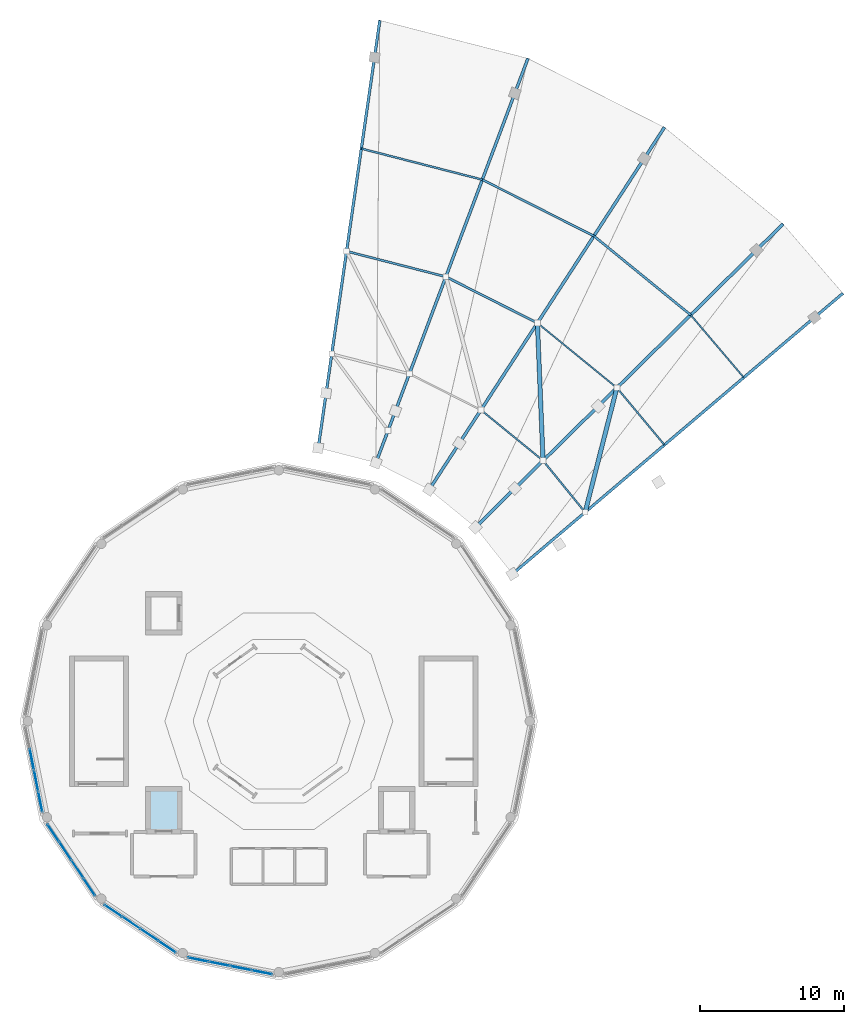
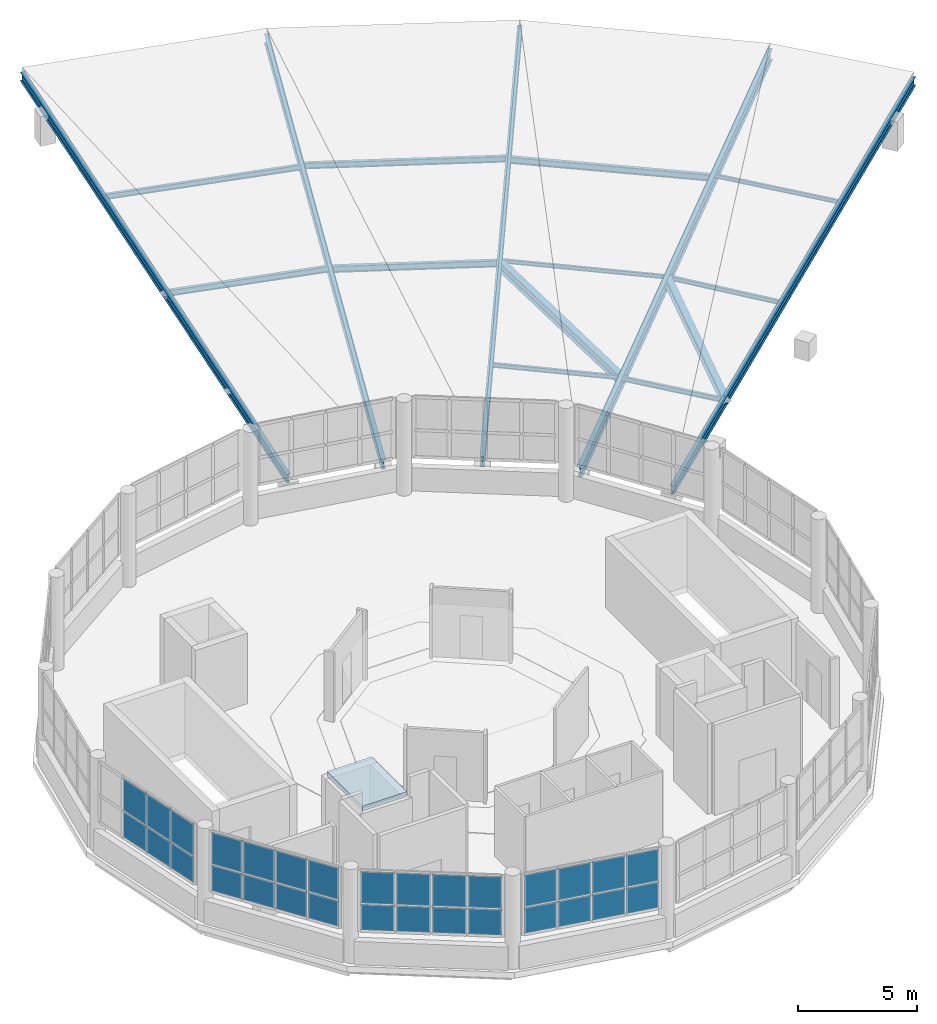
# One storey, part 7 of 12: 30 plates, 12 members, 5 beams, 1 slab, 4 elements without a shape of their own.
"""IFC4 building model written with IfcOpenShell, lengths in metres."""

import ifcopenshell
import ifcopenshell.guid

model = None  # the IFC model being written
_history = None  # IfcOwnerHistory: only IFC2X3 demands one
_inside = {}  # id of a spatial element -> (the spatial element, [elements in it])
_under = {}  # id of a project, library or spatial element -> (it, [spatial elements below it])
_declared = {}  # id of a project -> (the project, [libraries it declares])
_typed = {}  # id of a type object -> (the type object, [elements of that type])
_made_of = {}  # id of a material, layer set ... -> (it, [elements and type objects made of it])


def new_model(schema):
    """Start an empty IFC model of exactly this schema.

    Asked for "IFC4X3", IfcOpenShell would pick the latest addendum, in which some entities
    have other attributes; the version numbers below select the first issue.
    IFC2X3 requires an IfcOwnerHistory on every rooted entity: one is made here for all.
    """
    global model, _history
    if schema == "IFC4X3":
        model = ifcopenshell.file(schema_version=(4, 3, 0, 0))
    else:
        model = ifcopenshell.file(schema=schema)
    _inside.clear()
    _under.clear()
    _declared.clear()
    _typed.clear()
    _made_of.clear()
    _history = None
    if model.schema == "IFC2X3":
        org = make("IfcOrganization", Name="unknown")
        user = make(
            "IfcPersonAndOrganization",
            ThePerson=make("IfcPerson", FamilyName="unknown"),
            TheOrganization=org,
        )
        app = make(
            "IfcApplication",
            ApplicationDeveloper=org,
            Version="unknown",
            ApplicationFullName="unknown",
            ApplicationIdentifier="unknown",
        )
        _history = make(
            "IfcOwnerHistory",
            OwningUser=user,
            OwningApplication=app,
            ChangeAction="ADDED",
            CreationDate=0,
        )
    return model


def make(cls, **values):
    """One entity of the class cls with the attributes given. An attribute that is None is left unset."""
    return model.create_entity(
        cls, **{name: value for name, value in values.items() if value is not None}
    )


def rooted(cls, **values):
    """An entity with a GlobalId (a new one), such as an element, a storey or a relation."""
    return make(cls, GlobalId=ifcopenshell.guid.new(), OwnerHistory=_history, **values)


def si_unit(unit_type, name, prefix=None):
    """IfcSIUnit, for example si_unit("LENGTHUNIT", "METRE", prefix="MILLI")."""
    return make("IfcSIUnit", UnitType=unit_type, Prefix=prefix, Name=name)


def assignment(units):
    """IfcUnitAssignment: the units of a project."""
    return None if units is None else make("IfcUnitAssignment", Units=units)


def point(xyz):
    """IfcCartesianPoint."""
    return None if xyz is None else make("IfcCartesianPoint", Coordinates=xyz)


def direction(xyz):
    """IfcDirection."""
    return None if xyz is None else make("IfcDirection", DirectionRatios=xyz)


def frame(location, z_axis=None, x_axis=None):
    """IfcAxis2Placement3D, a coordinate frame: its origin and axes. An axis left out is left unset."""
    return make(
        "IfcAxis2Placement3D",
        Location=point(location),
        Axis=direction(z_axis),
        RefDirection=direction(x_axis),
    )


def frame_2d(location, x_axis=None):
    """IfcAxis2Placement2D, a coordinate frame in the plane: its origin and x axis."""
    return make(
        "IfcAxis2Placement2D", Location=point(location), RefDirection=direction(x_axis)
    )


def origin():
    """The frame at (0, 0, 0) with its axes left unset."""
    return frame((0.0, 0.0, 0.0))


def origin_2d():
    """The frame at (0, 0) in the plane with its x axis left unset."""
    return frame_2d((0.0, 0.0))


def place(relative_to, where):
    """IfcLocalPlacement: puts the frame where relative to a parent placement (None: the world)."""
    return make(
        "IfcLocalPlacement", PlacementRelTo=relative_to, RelativePlacement=where
    )


def context(
    kind, dimensions, precision=None, world=None, true_north=None, identifier=None
):
    """IfcGeometricRepresentationContext, for example the 3D "Model" context."""
    return make(
        "IfcGeometricRepresentationContext",
        ContextIdentifier=identifier,
        ContextType=kind,
        CoordinateSpaceDimension=dimensions,
        Precision=precision,
        WorldCoordinateSystem=world,
        TrueNorth=true_north,
    )


def subcontext(parent, identifier, kind, view, scale=None):
    """IfcGeometricRepresentationSubContext, for example "Body" below "Model"."""
    return make(
        "IfcGeometricRepresentationSubContext",
        ContextIdentifier=identifier,
        ContextType=kind,
        ParentContext=parent,
        TargetScale=scale,
        TargetView=view,
    )


def project(units=None, contexts=None):
    """IfcProject with its units and contexts."""
    return rooted(
        "IfcProject",
        Name="project",
        RepresentationContexts=contexts,
        UnitsInContext=assignment(units),
    )


def spatial(cls, under=None, at=None, **own):
    """A site, building, storey or space (cls), placed at a placement, below another one or the project."""
    s = rooted(cls, ObjectPlacement=at, **own)
    if under is not None:
        _under.setdefault(under.id(), (under, []))[1].append(s)
    return s


def polyline(points):
    """IfcPolyline through the points."""
    return make("IfcPolyline", Points=[point(p) for p in points])


def profile(cls, at=None, kind="AREA", **sizes):
    """A parametric profile (cls). Its sizes go by their IFC names, for example OverallWidth=200.0."""
    return make(cls, ProfileType=kind, Position=at, **sizes)


def rectangle(**sizes):
    """IfcRectangleProfileDef."""
    return profile("IfcRectangleProfileDef", **sizes)


def i_section(**sizes):
    """IfcIShapeProfileDef."""
    return profile("IfcIShapeProfileDef", **sizes)


def outline(outer, holes=None, kind="AREA"):
    """IfcArbitraryClosedProfileDef: a profile drawn as a closed curve; with holes, ...WithVoids."""
    if holes is None:
        return make("IfcArbitraryClosedProfileDef", ProfileType=kind, OuterCurve=outer)
    return make(
        "IfcArbitraryProfileDefWithVoids",
        ProfileType=kind,
        OuterCurve=outer,
        InnerCurves=holes,
    )


def extrude(swept, where, along, depth):
    """IfcExtrudedAreaSolid: the profile swept, set in the frame where, extruded along a direction by depth."""
    return make(
        "IfcExtrudedAreaSolid",
        SweptArea=swept,
        Position=where,
        ExtrudedDirection=direction(along),
        Depth=depth,
    )


def shape(context_of_items, identifier, shape_type, items):
    """IfcShapeRepresentation: the items that make up one representation, for example the "Body"."""
    return make(
        "IfcShapeRepresentation",
        ContextOfItems=context_of_items,
        RepresentationIdentifier=identifier,
        RepresentationType=shape_type,
        Items=items,
    )


def material(Name=None, Category=None):
    """IfcMaterial."""
    return make("IfcMaterial", Name=Name, Category=Category)


def layer(
    of_material, thickness, ventilated=None, Name=None, Category=None, Priority=None
):
    """IfcMaterialLayer: one layer of a wall or slab, of a material (None: an air gap)."""
    return make(
        "IfcMaterialLayer",
        Material=of_material,
        LayerThickness=thickness,
        IsVentilated=ventilated,
        Name=Name,
        Category=Category,
        Priority=Priority,
    )


def layer_set(layers, Name=None):
    """IfcMaterialLayerSet."""
    return make("IfcMaterialLayerSet", MaterialLayers=layers, LayerSetName=Name)


def material_profile(
    of_material, cross_section, Name=None, Category=None, Priority=None
):
    """IfcMaterialProfile: a cross section and its material."""
    return make(
        "IfcMaterialProfile",
        Name=Name,
        Material=of_material,
        Profile=cross_section,
        Priority=Priority,
        Category=Category,
    )


def profile_set(profiles, Name=None, composite=None):
    """IfcMaterialProfileSet."""
    return make(
        "IfcMaterialProfileSet",
        Name=Name,
        MaterialProfiles=profiles,
        CompositeProfile=composite,
    )


def made_of(thing, what):
    """Note that an element or type object is made of a material, layer set ...; save() writes the relation."""
    if what is not None:
        _made_of.setdefault(what.id(), (what, []))[1].append(thing)
    return thing


def type_object(cls, material=None, **own):
    """A type object (cls), such as IfcWallType, which elements share."""
    return made_of(rooted(cls, **own), material)


def element(
    cls,
    number,
    at=None,
    inside=None,
    cuts=None,
    type_object=None,
    material=None,
    context=None,
    identifier="Body",
    shape_type=None,
    held_by="IfcProductDefinitionShape",
    body=None,
    shapes=None,
    **own,
):
    """One element of the class cls, such as IfcWall. Its Tag is "e" and its number.

    at: its placement. inside: the storey or other place that contains it. cuts: it is an
    opening in that element (IfcRelVoidsElement). A single representation is given by context,
    identifier, shape_type and body (its items); several are given by shapes. held_by: the class
    of the entity that holds the representations. save() writes the other relations.
    """
    e = rooted(cls, Tag="e%d" % number, ObjectPlacement=at, **own)
    if body is not None:
        shapes = [shape(context, identifier, shape_type, body)]
    if shapes is not None:
        e.Representation = make(held_by, Representations=shapes)
    if inside is not None:
        _inside.setdefault(inside.id(), (inside, []))[1].append(e)
    if cuts is not None:
        rooted(
            "IfcRelVoidsElement", RelatingBuildingElement=cuts, RelatedOpeningElement=e
        )
    if type_object is not None:
        _typed.setdefault(type_object.id(), (type_object, []))[1].append(e)
    return made_of(e, material)


def aggregate(whole, parts):
    """IfcRelAggregates: a whole, such as a stair, and the parts it consists of."""
    return rooted("IfcRelAggregates", RelatingObject=whole, RelatedObjects=parts)


def save(model, path):
    """Write the relations noted so far, then the file.

    IfcRelAggregates (storeys below a building ...), IfcRelContainedInSpatialStructure (elements
    in a storey), IfcRelDefinesByType, IfcRelAssociatesMaterial and IfcRelDeclares: one each for
    every whole, place, type object, material and project.
    """
    for whole, parts in _under.values():
        aggregate(whole, parts)
    for where, things in _inside.values():
        rooted(
            "IfcRelContainedInSpatialStructure",
            RelatedElements=things,
            RelatingStructure=where,
        )
    for kind, things in _typed.values():
        rooted("IfcRelDefinesByType", RelatedObjects=things, RelatingType=kind)
    for what, things in _made_of.values():
        rooted("IfcRelAssociatesMaterial", RelatedObjects=things, RelatingMaterial=what)
    for by, libraries in _declared.values():
        rooted("IfcRelDeclares", RelatingContext=by, RelatedDefinitions=libraries)
    model.write(path)


model = new_model("IFC4")

# Units and contexts
model_context = context("Model", 3, precision=1e-05, world=origin(), true_north=direction((0.0, 1.0)))
body_context = subcontext(model_context, "Body", "Model", "MODEL_VIEW")
ifc_project = project(units=[si_unit("LENGTHUNIT", "METRE"), si_unit("AREAUNIT", "SQUARE_METRE"), si_unit("VOLUMEUNIT", "CUBIC_METRE"), si_unit("PLANEANGLEUNIT", "RADIAN"), si_unit("MASSUNIT", "GRAM", prefix="KILO")], contexts=[model_context])

# Site, building, storey
site_placement = place(None, origin())
site = spatial("IfcSite", under=ifc_project, at=site_placement, CompositionType="ELEMENT")
building_placement = place(site_placement, origin())
building = spatial("IfcBuilding", under=site, at=building_placement, Name="Soyqirgoq Riverine Aquarium", CompositionType="ELEMENT")
storey_placement = place(building_placement, frame((0.0, 0.0, 24.60009765625)))
storey = spatial("IfcBuildingStorey", under=building, at=storey_placement, Name="L06", CompositionType="ELEMENT", Elevation=24.60009765625)

# Members
ifc_material_1 = material(Name="Structural steel S355", Category="steel")
ifc_material_profile_1 = material_profile(ifc_material_1, i_section(OverallWidth=0.300048828125, OverallDepth=0.489990234375, WebThickness=0.011962890625, FlangeThickness=0.02294921875, FilletRadius=0.027099609375, at=origin_2d()), Name="HEA 500")
ifc_profile_set_1 = profile_set([ifc_material_profile_1], Name="Structural steel S355")
member_type_1 = type_object("IfcMemberType", Name="BridgeChord_HEA500", PredefinedType="CHORD", material=ifc_profile_set_1)
member_1_placement = place(storey_placement, frame((74.378173828125, 75.123291015625, 0.453369140625), z_axis=(-0.040963035979, 0.998779696282, 0.027588910426), x_axis=(-0.999160022983, -0.04097863435, 0.0)))
element("IfcMember", 1, at=member_1_placement, inside=storey, type_object=member_type_1, Name="V5 Lateral Wind Brace 0196", PredefinedType="CHORD", context=body_context, shape_type="SweptSolid", body=[
    extrude(i_section(OverallWidth=0.300048828125, OverallDepth=0.489990234375, WebThickness=0.011962890625, FlangeThickness=0.02294921875, FilletRadius=0.027099609375, at=origin_2d()), origin(), (0.0, 0.0, 1.0), 9.583740234375),
])
ifc_material_2 = material(Name="Structural steel S355", Category="steel")
ifc_material_profile_2 = material_profile(ifc_material_2, i_section(OverallWidth=0.300048828125, OverallDepth=0.449951171875, WebThickness=0.013916015625, FlangeThickness=0.02587890625, FilletRadius=0.027099609375, at=origin_2d()), Name="HEB 450")
ifc_profile_set_2 = profile_set([ifc_material_profile_2], Name="Structural steel S355")
member_type_2 = type_object("IfcMemberType", Name="BridgeChord_HEB450", PredefinedType="CHORD", material=ifc_profile_set_2)
member_2_placement = place(storey_placement, frame((77.304931640625, 71.527099609375, 0.548583984375), z_axis=(0.247041928432, 0.968830435085, 0.018381339727), x_axis=(-0.968994147709, 0.24708367349, 0.0)))
element("IfcMember", 2, at=member_2_placement, inside=storey, type_object=member_type_2, Name="V5 Lateral Wind Brace 0192", PredefinedType="CHORD", context=body_context, shape_type="SweptSolid", body=[
    extrude(i_section(OverallWidth=0.300048828125, OverallDepth=0.449951171875, WebThickness=0.013916015625, FlangeThickness=0.02587890625, FilletRadius=0.027099609375, at=origin_2d()), origin(), (0.0, 0.0, 1.0), 8.938720703125),
])

# Beams
ifc_material_3 = material(Name="Structural steel S355", Category="steel")
ifc_material_profile_3 = material_profile(ifc_material_3, i_section(OverallWidth=0.18994140625, OverallDepth=0.449951171875, WebThickness=0.009521484375, FlangeThickness=0.0146484375, FilletRadius=0.02099609375, at=origin_2d()), Name="IPE 450")
ifc_profile_set_3 = profile_set([ifc_material_profile_3], Name="Structural steel S355")
beam_type_1 = type_object("IfcBeamType", Name="Outrigger_IPE450", PredefinedType="BEAM", material=ifc_profile_set_3)
beam_1_placement = place(storey_placement, frame((72.246826171875, 67.231201171875, 0.310791015625), z_axis=(0.761710419876, 0.646926486558, 0.035823975806), x_axis=(-0.647342005441, 0.762199664125, 0.0)))
element("IfcBeam", 3, at=beam_1_placement, inside=storey, type_object=beam_type_1, Name="V5 Prairie Cantilever Eave Rafter 01", PredefinedType="BEAM", context=body_context, shape_type="SweptSolid", body=[
    extrude(i_section(OverallWidth=0.18994140625, OverallDepth=0.449951171875, WebThickness=0.009521484375, FlangeThickness=0.0146484375, FilletRadius=0.02099609375, at=origin_2d()), origin(), (0.0, 0.0, 1.0), 30.18359375),
])
beam_2_placement = place(storey_placement, frame((58.738525390625, 76.003662109375, 0.310302734375), z_axis=(0.142532316592, 0.989136116969, 0.035976114772), x_axis=(-0.989776848961, 0.142624644648, 0.0)))
element("IfcBeam", 4, at=beam_2_placement, inside=storey, type_object=beam_type_1, Name="V5 Prairie Cantilever Eave Rafter 05", PredefinedType="BEAM", context=body_context, shape_type="SweptSolid", body=[
    extrude(i_section(OverallWidth=0.18994140625, OverallDepth=0.449951171875, WebThickness=0.009521484375, FlangeThickness=0.0146484375, FilletRadius=0.02099609375, at=origin_2d()), origin(), (0.0, 0.0, 1.0), 30.069580078125),
])
ifc_material_4 = material(Name="Structural steel S355", Category="steel")
ifc_material_profile_4 = material_profile(ifc_material_4, i_section(OverallWidth=0.199951171875, OverallDepth=0.5, WebThickness=0.01025390625, FlangeThickness=0.01611328125, FilletRadius=0.02099609375, at=origin_2d()), Name="IPE 500")
ifc_profile_set_4 = profile_set([ifc_material_profile_4], Name="Structural steel S355")
beam_type_2 = type_object("IfcBeamType", Name="Outrigger_IPE500", PredefinedType="BEAM", material=ifc_profile_set_4)
beam_3_placement = place(storey_placement, frame((62.75537109375, 74.972412109375, 0.245361328125), z_axis=(0.351610631418, 0.93545510781, 0.035968112898), x_axis=(-0.936060797104, 0.351838292578, 0.0)))
element("IfcBeam", 5, at=beam_3_placement, inside=storey, type_object=beam_type_2, Name="V5 Prairie Cantilever Eave Rafter 04", PredefinedType="BEAM", context=body_context, shape_type="SweptSolid", body=[
    extrude(i_section(OverallWidth=0.199951171875, OverallDepth=0.5, WebThickness=0.01025390625, FlangeThickness=0.01611328125, FilletRadius=0.02099609375, at=origin_2d()), origin(), (0.0, 0.0, 1.0), 30.069580078125),
])
ifc_material_5 = material(Name="Structural steel S355", Category="steel")
ifc_material_profile_5 = material_profile(ifc_material_5, i_section(OverallWidth=0.2099609375, OverallDepth=0.550048828125, WebThickness=0.010986328125, FlangeThickness=0.01708984375, FilletRadius=0.02392578125, at=origin_2d()), Name="IPE 550")
ifc_profile_set_5 = profile_set([ifc_material_profile_5], Name="Structural steel S355")
beam_type_3 = type_object("IfcBeamType", Name="Outrigger_IPE550", PredefinedType="BEAM", material=ifc_profile_set_5)
beam_4_placement = place(storey_placement, frame((66.45703125, 73.1025390625, 0.22021484375), z_axis=(0.54428989784, 0.838125412598, 0.035976379273), x_axis=(-0.838668332486, 0.544642477306, 0.0)))
element("IfcBeam", 6, at=beam_4_placement, inside=storey, type_object=beam_type_3, Name="V5 Prairie Cantilever Eave Rafter 03", PredefinedType="BEAM", context=body_context, shape_type="SweptSolid", body=[
    extrude(i_section(OverallWidth=0.2099609375, OverallDepth=0.550048828125, WebThickness=0.010986328125, FlangeThickness=0.01708984375, FilletRadius=0.02392578125, at=origin_2d()), origin(), (0.0, 0.0, 1.0), 30.0693359375),
])
ifc_material_6 = material(Name="Structural steel S355", Category="steel")
ifc_material_profile_6 = material_profile(ifc_material_6, i_section(OverallWidth=0.219970703125, OverallDepth=0.60009765625, WebThickness=0.011962890625, FlangeThickness=0.01904296875, FilletRadius=0.02392578125, at=origin_2d()), Name="IPE 600")
ifc_profile_set_6 = profile_set([ifc_material_profile_6], Name="Structural steel S355")
beam_type_4 = type_object("IfcBeamType", Name="Outrigger_IPE600", PredefinedType="BEAM", material=ifc_profile_set_6)
beam_5_placement = place(storey_placement, frame((69.6708984375, 70.481201171875, 0.21533203125), z_axis=(0.711564427772, 0.701699631107, 0.035967941751), x_axis=(-0.702153963872, 0.712025147743, 0.0)))
element("IfcBeam", 7, at=beam_5_placement, inside=storey, type_object=beam_type_4, Name="V5 Prairie Cantilever Eave Rafter 02", PredefinedType="BEAM", context=body_context, shape_type="SweptSolid", body=[
    extrude(i_section(OverallWidth=0.219970703125, OverallDepth=0.60009765625, WebThickness=0.011962890625, FlangeThickness=0.01904296875, FilletRadius=0.02392578125, at=origin_2d()), origin(), (0.0, 0.0, 1.0), 30.069580078125),
])

# Members
ifc_material_7 = material(Name="Structural steel S355", Category="steel")
ifc_material_profile_7 = material_profile(ifc_material_7, i_section(OverallWidth=0.10009765625, OverallDepth=0.199951171875, WebThickness=0.005615234375, FlangeThickness=0.008544921875, FilletRadius=0.011962890625, at=origin_2d()), Name="IPE 200")
ifc_profile_set_7 = profile_set([ifc_material_profile_7], Name="Structural steel S355")
member_type_3 = type_object("IfcMemberType", Name="Purlin_IPE200", PredefinedType="PURLIN", material=ifc_profile_set_7)
member_3_placement = place(storey_placement, frame((88.3408203125, 80.89990234375, 1.12451171875), z_axis=(-0.646999585899, 0.762461889677, 0.006588067722), x_axis=(-0.762478436644, -0.6470136271, 0.0)))
element("IfcMember", 8, at=member_3_placement, inside=storey, type_object=member_type_3, Name="V5 Prairie Roof Purlin 0191", PredefinedType="PURLIN", context=body_context, shape_type="SweptSolid", body=[
    extrude(i_section(OverallWidth=0.10009765625, OverallDepth=0.199951171875, WebThickness=0.005615234375, FlangeThickness=0.008544921875, FilletRadius=0.011962890625, at=origin_2d()), origin(), (0.0, 0.0, 1.0), 5.70703125),
])
member_4_placement = place(storey_placement, frame((79.51318359375, 80.187255859375, 0.826904296875), z_axis=(-0.774941483466, 0.632008060254, 0.005613285778), x_axis=(-0.632018017453, -0.774953692562, 0.0)))
element("IfcMember", 9, at=member_4_placement, inside=storey, type_object=member_type_3, Name="V5 Prairie Roof Purlin 0194", PredefinedType="PURLIN", context=body_context, shape_type="SweptSolid", body=[
    extrude(i_section(OverallWidth=0.10009765625, OverallDepth=0.199951171875, WebThickness=0.005615234375, FlangeThickness=0.008544921875, FilletRadius=0.011962890625, at=origin_2d()), origin(), (0.0, 0.0, 1.0), 7.1328125),
])
ifc_material_8 = material(Name="Structural steel S355", Category="steel")
ifc_material_profile_8 = material_profile(ifc_material_8, i_section(OverallWidth=0.110107421875, OverallDepth=0.219970703125, WebThickness=0.005859375, FlangeThickness=0.00927734375, FilletRadius=0.011962890625, at=origin_2d()), Name="IPE 220")
ifc_profile_set_8 = profile_set([ifc_material_profile_8], Name="Structural steel S355")
member_type_4 = type_object("IfcMemberType", Name="Purlin_IPE220", PredefinedType="PURLIN", material=ifc_profile_set_8)
member_5_placement = place(storey_placement, frame((82.82275390625, 76.21337890625, 0.74267578125), z_axis=(-0.639890949695, 0.768331734153, 0.014349870811), x_axis=(-0.768410853344, -0.639956842657, 0.0)))
element("IfcMember", 10, at=member_5_placement, inside=storey, type_object=member_type_4, Name="V5 Prairie Roof Purlin 0190", PredefinedType="PURLIN", context=body_context, shape_type="SweptSolid", body=[
    extrude(i_section(OverallWidth=0.110107421875, OverallDepth=0.219970703125, WebThickness=0.005859375, FlangeThickness=0.00927734375, FilletRadius=0.011962890625, at=origin_2d()), origin(), (0.0, 0.0, 1.0), 5.172119140625),
])
member_6_placement = place(storey_placement, frame((74.378173828125, 75.123291015625, 0.541015625), z_axis=(-0.774931390386, 0.632004563341, 0.007181372437), x_axis=(-0.632020860876, -0.774951373583, 0.0)))
element("IfcMember", 11, at=member_6_placement, inside=storey, type_object=member_type_4, Name="V5 Prairie Roof Purlin 0193", PredefinedType="PURLIN", context=body_context, shape_type="SweptSolid", body=[
    extrude(i_section(OverallWidth=0.110107421875, OverallDepth=0.219970703125, WebThickness=0.005859375, FlangeThickness=0.00927734375, FilletRadius=0.011962890625, at=origin_2d()), origin(), (0.0, 0.0, 1.0), 5.575439453125),
])
ifc_material_9 = material(Name="Structural steel S355", Category="steel")
ifc_material_profile_9 = material_profile(ifc_material_9, i_section(OverallWidth=0.1201171875, OverallDepth=0.239990234375, WebThickness=0.006103515625, FlangeThickness=0.009765625, FilletRadius=0.014892578125, at=origin_2d()), Name="IPE 240")
ifc_profile_set_9 = profile_set([ifc_material_profile_9], Name="Structural steel S355")
member_type_5 = type_object("IfcMemberType", Name="Purlin_IPE240", PredefinedType="PURLIN", material=ifc_profile_set_9)
member_7_placement = place(storey_placement, frame((77.304931640625, 71.527099609375, 0.537841796875), z_axis=(-0.63121018492, 0.775586088077, -0.006318420269), x_axis=(-0.775601570183, -0.631222785021, 0.0)))
element("IfcMember", 12, at=member_7_placement, inside=storey, type_object=member_type_5, Name="V5 Prairie Roof Purlin 0189", PredefinedType="PURLIN", context=body_context, shape_type="SweptSolid", body=[
    extrude(i_section(OverallWidth=0.1201171875, OverallDepth=0.239990234375, WebThickness=0.006103515625, FlangeThickness=0.009765625, FilletRadius=0.014892578125, at=origin_2d()), origin(), (0.0, 0.0, 1.0), 4.63671875),
])
ifc_material_10 = material(Name="Structural steel S355", Category="steel")
ifc_material_profile_10 = material_profile(ifc_material_10, i_section(OverallWidth=0.135009765625, OverallDepth=0.27001953125, WebThickness=0.006591796875, FlangeThickness=0.01025390625, FilletRadius=0.014892578125, at=origin_2d()), Name="IPE 270")
ifc_profile_set_10 = profile_set([ifc_material_profile_10], Name="Structural steel S355")
member_type_6 = type_object("IfcMemberType", Name="Purlin_IPE270", PredefinedType="PURLIN", material=ifc_profile_set_10)
member_8_placement = place(storey_placement, frame((70.156494140625, 94.662353515625, 0.963623046875), z_axis=(-0.968534183461, 0.248678454936, 0.010028036644), x_axis=(-0.24869095962, -0.968582885768, 0.0)))
element("IfcMember", 13, at=member_8_placement, inside=storey, type_object=member_type_6, Name="V5 Prairie Roof Purlin 0203", PredefinedType="PURLIN", context=body_context, shape_type="SweptSolid", body=[
    extrude(i_section(OverallWidth=0.135009765625, OverallDepth=0.27001953125, WebThickness=0.006591796875, FlangeThickness=0.01025390625, FilletRadius=0.014892578125, at=origin_2d()), origin(), (0.0, 0.0, 1.0), 8.69140625),
])
ifc_material_11 = material(Name="Structural steel S355", Category="steel")
ifc_material_profile_11 = material_profile(ifc_material_11, i_section(OverallWidth=0.14990234375, OverallDepth=0.300048828125, WebThickness=0.007080078125, FlangeThickness=0.0107421875, FilletRadius=0.014892578125, at=origin_2d()), Name="IPE 300")
ifc_profile_set_11 = profile_set([ifc_material_profile_11], Name="Structural steel S355")
member_type_7 = type_object("IfcMemberType", Name="Purlin_IPE300", PredefinedType="PURLIN", material=ifc_profile_set_11)
member_9_placement = place(storey_placement, frame((77.91357421875, 90.743896484375, 1.050537109375), z_axis=(-0.892579968566, 0.450883092421, -0.002331669575), x_axis=(-0.45088431808, -0.892582394913, 0.0)))
element("IfcMember", 14, at=member_9_placement, inside=storey, type_object=member_type_7, Name="V5 Prairie Roof Purlin 0199", PredefinedType="PURLIN", context=body_context, shape_type="SweptSolid", body=[
    extrude(i_section(OverallWidth=0.14990234375, OverallDepth=0.300048828125, WebThickness=0.007080078125, FlangeThickness=0.0107421875, FilletRadius=0.014892578125, at=origin_2d()), origin(), (0.0, 0.0, 1.0), 8.690673828125),
])
member_10_placement = place(storey_placement, frame((67.618896484375, 87.91162109375, 0.743896484375), z_axis=(-0.968537162072, 0.2486456229, 0.010541342306), x_axis=(-0.24865943879, -0.968590978432, 0.0)))
element("IfcMember", 15, at=member_10_placement, inside=storey, type_object=member_type_7, Name="V5 Prairie Roof Purlin 0202", PredefinedType="PURLIN", context=body_context, shape_type="SweptSolid", body=[
    extrude(i_section(OverallWidth=0.14990234375, OverallDepth=0.300048828125, WebThickness=0.007080078125, FlangeThickness=0.0107421875, FilletRadius=0.014892578125, at=origin_2d()), origin(), (0.0, 0.0, 1.0), 7.13330078125),
])
ifc_material_12 = material(Name="Structural steel S355", Category="steel")
ifc_material_profile_12 = material_profile(ifc_material_12, i_section(OverallWidth=0.159912109375, OverallDepth=0.330078125, WebThickness=0.007568359375, FlangeThickness=0.011474609375, FilletRadius=0.01806640625, at=origin_2d()), Name="IPE 330")
ifc_profile_set_12 = profile_set([ifc_material_profile_12], Name="Structural steel S355")
member_type_8 = type_object("IfcMemberType", Name="Purlin_IPE330", PredefinedType="PURLIN", material=ifc_profile_set_12)
member_11_placement = place(storey_placement, frame((84.6484375, 85.251220703125, 1.046875), z_axis=(-0.774941015176, 0.632009822353, -0.005477905385), x_axis=(-0.632019305067, -0.774952642439, 0.0)))
element("IfcMember", 16, at=member_11_placement, inside=storey, type_object=member_type_8, Name="V5 Prairie Roof Purlin 0195", PredefinedType="PURLIN", context=body_context, shape_type="SweptSolid", body=[
    extrude(i_section(OverallWidth=0.159912109375, OverallDepth=0.330078125, WebThickness=0.007568359375, FlangeThickness=0.011474609375, FilletRadius=0.01806640625, at=origin_2d()), origin(), (0.0, 0.0, 1.0), 8.69091796875),
])
member_12_placement = place(storey_placement, frame((73.985595703125, 84.6953125, 0.7431640625), z_axis=(-0.892567693619, 0.450904471038, -0.00284082823), x_axis=(-0.450906290518, -0.892571295288, 0.0)))
element("IfcMember", 17, at=member_12_placement, inside=storey, type_object=member_type_8, Name="V5 Prairie Roof Purlin 0198", PredefinedType="PURLIN", context=body_context, shape_type="SweptSolid", body=[
    extrude(i_section(OverallWidth=0.159912109375, OverallDepth=0.330078125, WebThickness=0.007568359375, FlangeThickness=0.011474609375, FilletRadius=0.01806640625, at=origin_2d()), origin(), (0.0, 0.0, 1.0), 7.133056640625),
])

# Curtain wall, plates
ifc_material_13 = material(Name="Anodised aluminium acoustic solar-control clerestory glazing", Category="aluminium")
curtain_wall_type = type_object("IfcCurtainWallType", Name="CW_Clerestory_Ring", PredefinedType="NOTDEFINED", material=ifc_material_13)
curtain_wall_1_placement = place(storey_placement, origin())
curtain_wall_1 = element("IfcCurtainWall", 18, at=curtain_wall_1_placement, inside=storey, type_object=curtain_wall_type, Name="V1 L06 Curtain Wall 032", PredefinedType="NOTDEFINED")
ifc_material_14 = material(Name="Triple insulated laminated low-E glass", Category="glass")
ifc_layer_1 = layer(ifc_material_14, 0.0458984375)
ifc_layer_set_1 = layer_set([ifc_layer_1], Name="Triple insulated laminated low-E glass")
plate_type = type_object("IfcPlateType", Name="CWGlazedPanel_46", PredefinedType="CURTAIN_PANEL", material=ifc_layer_set_1)
plate_1_placement = place(storey_placement, frame((38.82568359375, 54.35693359375, 1.69482421875), z_axis=(0.0, 0.0, 1.0), x_axis=(0.19509525167, -0.980784299821, 0.0)))
plate_1 = element("IfcPlate", 19, at=plate_1_placement, type_object=plate_type, Name="CW-02 panel 2.1", PredefinedType="CURTAIN_PANEL", context=body_context, shape_type="SweptSolid", body=[
    extrude(rectangle(XDim=1.45166015625, YDim=0.0458984375, at=origin_2d()), origin(), (0.0, 0.0, 1.0), 1.300537109375),
])
plate_2_placement = place(storey_placement, frame((38.82568359375, 54.35693359375, 3.0703125), z_axis=(0.0, 0.0, 1.0), x_axis=(0.19509525167, -0.980784299821, 0.0)))
plate_2 = element("IfcPlate", 20, at=plate_2_placement, type_object=plate_type, Name="CW-02 panel 2.2", PredefinedType="CURTAIN_PANEL", context=body_context, shape_type="SweptSolid", body=[
    extrude(rectangle(XDim=1.45166015625, YDim=0.0458984375, at=origin_2d()), origin(), (0.0, 0.0, 1.0), 1.614501953125),
])
plate_3_placement = place(storey_placement, frame((39.12158203125, 52.86962890625, 1.69482421875), z_axis=(0.0, 0.0, 1.0), x_axis=(0.19509525167, -0.980784299821, 0.0)))
plate_3 = element("IfcPlate", 21, at=plate_3_placement, type_object=plate_type, Name="CW-02 panel 3.1", PredefinedType="CURTAIN_PANEL", context=body_context, shape_type="SweptSolid", body=[
    extrude(rectangle(XDim=1.45166015625, YDim=0.0458984375, at=origin_2d()), origin(), (0.0, 0.0, 1.0), 1.300537109375),
])
plate_4_placement = place(storey_placement, frame((39.12158203125, 52.86962890625, 3.0703125), z_axis=(0.0, 0.0, 1.0), x_axis=(0.19509525167, -0.980784299821, 0.0)))
plate_4 = element("IfcPlate", 22, at=plate_4_placement, type_object=plate_type, Name="CW-02 panel 3.2", PredefinedType="CURTAIN_PANEL", context=body_context, shape_type="SweptSolid", body=[
    extrude(rectangle(XDim=1.45166015625, YDim=0.0458984375, at=origin_2d()), origin(), (0.0, 0.0, 1.0), 1.614501953125),
])
plate_5_placement = place(storey_placement, frame((39.414306640625, 51.39794921875, 1.69482421875), z_axis=(0.0, 0.0, 1.0), x_axis=(0.19509525167, -0.980784299821, 0.0)))
plate_5 = element("IfcPlate", 23, at=plate_5_placement, type_object=plate_type, Name="CW-02 panel 4.1", PredefinedType="CURTAIN_PANEL", context=body_context, shape_type="SweptSolid", body=[
    extrude(rectangle(XDim=1.4189453125, YDim=0.0458984375, at=origin_2d()), origin(), (0.0, 0.0, 1.0), 1.300537109375),
])
plate_6_placement = place(storey_placement, frame((39.414306640625, 51.39794921875, 3.0703125), z_axis=(0.0, 0.0, 1.0), x_axis=(0.19509525167, -0.980784299821, 0.0)))
plate_6 = element("IfcPlate", 24, at=plate_6_placement, type_object=plate_type, Name="CW-02 panel 4.2", PredefinedType="CURTAIN_PANEL", context=body_context, shape_type="SweptSolid", body=[
    extrude(rectangle(XDim=1.4189453125, YDim=0.0458984375, at=origin_2d()), origin(), (0.0, 0.0, 1.0), 1.614501953125),
])
aggregate(curtain_wall_1, [plate_1, plate_2, plate_3, plate_4, plate_5, plate_6])

curtain_wall_2_placement = place(storey_placement, origin())
curtain_wall_2 = element("IfcCurtainWall", 25, at=curtain_wall_2_placement, inside=storey, type_object=curtain_wall_type, Name="V1 L06 Curtain Wall 039", PredefinedType="NOTDEFINED")
plate_7_placement = place(storey_placement, frame((40.31103515625, 49.2333984375, 1.69482421875), z_axis=(0.0, 0.0, 1.0), x_axis=(0.555578639957, -0.831463994905, 0.0)))
plate_7 = element("IfcPlate", 26, at=plate_7_placement, type_object=plate_type, Name="CW-02 panel 1.1", PredefinedType="CURTAIN_PANEL", context=body_context, shape_type="SweptSolid", body=[
    extrude(rectangle(XDim=1.419189453125, YDim=0.0458984375, at=origin_2d()), origin(), (0.0, 0.0, 1.0), 1.300537109375),
])
plate_8_placement = place(storey_placement, frame((40.31103515625, 49.2333984375, 3.0703125), z_axis=(0.0, 0.0, 1.0), x_axis=(0.555578639957, -0.831463994905, 0.0)))
plate_8 = element("IfcPlate", 27, at=plate_8_placement, type_object=plate_type, Name="CW-02 panel 1.2", PredefinedType="CURTAIN_PANEL", context=body_context, shape_type="SweptSolid", body=[
    extrude(rectangle(XDim=1.419189453125, YDim=0.0458984375, at=origin_2d()), origin(), (0.0, 0.0, 1.0), 1.614501953125),
])
plate_9_placement = place(storey_placement, frame((41.14453125, 47.98583984375, 1.69482421875), z_axis=(0.0, 0.0, 1.0), x_axis=(0.555578639957, -0.831463994905, 0.0)))
plate_9 = element("IfcPlate", 28, at=plate_9_placement, type_object=plate_type, Name="CW-02 panel 2.1", PredefinedType="CURTAIN_PANEL", context=body_context, shape_type="SweptSolid", body=[
    extrude(rectangle(XDim=1.45166015625, YDim=0.0458984375, at=origin_2d()), origin(), (0.0, 0.0, 1.0), 1.300537109375),
])
plate_10_placement = place(storey_placement, frame((41.14453125, 47.98583984375, 3.0703125), z_axis=(0.0, 0.0, 1.0), x_axis=(0.555578639957, -0.831463994905, 0.0)))
plate_10 = element("IfcPlate", 29, at=plate_10_placement, type_object=plate_type, Name="CW-02 panel 2.2", PredefinedType="CURTAIN_PANEL", context=body_context, shape_type="SweptSolid", body=[
    extrude(rectangle(XDim=1.45166015625, YDim=0.0458984375, at=origin_2d()), origin(), (0.0, 0.0, 1.0), 1.614501953125),
])
plate_11_placement = place(storey_placement, frame((41.987060546875, 46.724853515625, 1.69482421875), z_axis=(0.0, 0.0, 1.0), x_axis=(0.555578639957, -0.831463994905, 0.0)))
plate_11 = element("IfcPlate", 30, at=plate_11_placement, type_object=plate_type, Name="CW-02 panel 3.1", PredefinedType="CURTAIN_PANEL", context=body_context, shape_type="SweptSolid", body=[
    extrude(rectangle(XDim=1.45166015625, YDim=0.0458984375, at=origin_2d()), origin(), (0.0, 0.0, 1.0), 1.300537109375),
])
plate_12_placement = place(storey_placement, frame((41.987060546875, 46.724853515625, 3.0703125), z_axis=(0.0, 0.0, 1.0), x_axis=(0.555578639957, -0.831463994905, 0.0)))
plate_12 = element("IfcPlate", 31, at=plate_12_placement, type_object=plate_type, Name="CW-02 panel 3.2", PredefinedType="CURTAIN_PANEL", context=body_context, shape_type="SweptSolid", body=[
    extrude(rectangle(XDim=1.45166015625, YDim=0.0458984375, at=origin_2d()), origin(), (0.0, 0.0, 1.0), 1.614501953125),
])
plate_13_placement = place(storey_placement, frame((42.820556640625, 45.477294921875, 1.69482421875), z_axis=(0.0, 0.0, 1.0), x_axis=(0.555578639957, -0.831463994905, 0.0)))
plate_13 = element("IfcPlate", 32, at=plate_13_placement, type_object=plate_type, Name="CW-02 panel 4.1", PredefinedType="CURTAIN_PANEL", context=body_context, shape_type="SweptSolid", body=[
    extrude(rectangle(XDim=1.419189453125, YDim=0.0458984375, at=origin_2d()), origin(), (0.0, 0.0, 1.0), 1.300537109375),
])
plate_14_placement = place(storey_placement, frame((42.820556640625, 45.477294921875, 3.0703125), z_axis=(0.0, 0.0, 1.0), x_axis=(0.555578639957, -0.831463994905, 0.0)))
plate_14 = element("IfcPlate", 33, at=plate_14_placement, type_object=plate_type, Name="CW-02 panel 4.2", PredefinedType="CURTAIN_PANEL", context=body_context, shape_type="SweptSolid", body=[
    extrude(rectangle(XDim=1.419189453125, YDim=0.0458984375, at=origin_2d()), origin(), (0.0, 0.0, 1.0), 1.614501953125),
])
aggregate(curtain_wall_2, [plate_7, plate_8, plate_9, plate_10, plate_11, plate_12, plate_13, plate_14])

curtain_wall_3_placement = place(storey_placement, origin())
curtain_wall_3 = element("IfcCurtainWall", 34, at=curtain_wall_3_placement, inside=storey, type_object=curtain_wall_type, Name="V1 L06 Curtain Wall 046", PredefinedType="NOTDEFINED")
plate_15_placement = place(storey_placement, frame((44.477294921875, 43.820556640625, 1.69482421875), z_axis=(0.0, 0.0, 1.0), x_axis=(0.831463994905, -0.555578639957, 0.0)))
plate_15 = element("IfcPlate", 35, at=plate_15_placement, type_object=plate_type, Name="CW-02 panel 1.1", PredefinedType="CURTAIN_PANEL", context=body_context, shape_type="SweptSolid", body=[
    extrude(rectangle(XDim=1.419189453125, YDim=0.0458984375, at=origin_2d()), origin(), (0.0, 0.0, 1.0), 1.300537109375),
])
plate_16_placement = place(storey_placement, frame((44.477294921875, 43.820556640625, 3.0703125), z_axis=(0.0, 0.0, 1.0), x_axis=(0.831463994905, -0.555578639957, 0.0)))
plate_16 = element("IfcPlate", 36, at=plate_16_placement, type_object=plate_type, Name="CW-02 panel 1.2", PredefinedType="CURTAIN_PANEL", context=body_context, shape_type="SweptSolid", body=[
    extrude(rectangle(XDim=1.419189453125, YDim=0.0458984375, at=origin_2d()), origin(), (0.0, 0.0, 1.0), 1.614501953125),
])
plate_17_placement = place(storey_placement, frame((45.724853515625, 42.987060546875, 1.69482421875), z_axis=(0.0, 0.0, 1.0), x_axis=(0.831463994905, -0.555578639957, 0.0)))
plate_17 = element("IfcPlate", 37, at=plate_17_placement, type_object=plate_type, Name="CW-02 panel 2.1", PredefinedType="CURTAIN_PANEL", context=body_context, shape_type="SweptSolid", body=[
    extrude(rectangle(XDim=1.45166015625, YDim=0.0458984375, at=origin_2d()), origin(), (0.0, 0.0, 1.0), 1.300537109375),
])
plate_18_placement = place(storey_placement, frame((45.724853515625, 42.987060546875, 3.0703125), z_axis=(0.0, 0.0, 1.0), x_axis=(0.831463994905, -0.555578639957, 0.0)))
plate_18 = element("IfcPlate", 38, at=plate_18_placement, type_object=plate_type, Name="CW-02 panel 2.2", PredefinedType="CURTAIN_PANEL", context=body_context, shape_type="SweptSolid", body=[
    extrude(rectangle(XDim=1.45166015625, YDim=0.0458984375, at=origin_2d()), origin(), (0.0, 0.0, 1.0), 1.614501953125),
])
plate_19_placement = place(storey_placement, frame((46.98583984375, 42.14453125, 1.69482421875), z_axis=(0.0, 0.0, 1.0), x_axis=(0.831463994905, -0.555578639957, 0.0)))
plate_19 = element("IfcPlate", 39, at=plate_19_placement, type_object=plate_type, Name="CW-02 panel 3.1", PredefinedType="CURTAIN_PANEL", context=body_context, shape_type="SweptSolid", body=[
    extrude(rectangle(XDim=1.45166015625, YDim=0.0458984375, at=origin_2d()), origin(), (0.0, 0.0, 1.0), 1.300537109375),
])
plate_20_placement = place(storey_placement, frame((46.98583984375, 42.14453125, 3.0703125), z_axis=(0.0, 0.0, 1.0), x_axis=(0.831463994905, -0.555578639957, 0.0)))
plate_20 = element("IfcPlate", 40, at=plate_20_placement, type_object=plate_type, Name="CW-02 panel 3.2", PredefinedType="CURTAIN_PANEL", context=body_context, shape_type="SweptSolid", body=[
    extrude(rectangle(XDim=1.45166015625, YDim=0.0458984375, at=origin_2d()), origin(), (0.0, 0.0, 1.0), 1.614501953125),
])
plate_21_placement = place(storey_placement, frame((48.2333984375, 41.31103515625, 1.69482421875), z_axis=(0.0, 0.0, 1.0), x_axis=(0.831463994905, -0.555578639957, 0.0)))
plate_21 = element("IfcPlate", 41, at=plate_21_placement, type_object=plate_type, Name="CW-02 panel 4.1", PredefinedType="CURTAIN_PANEL", context=body_context, shape_type="SweptSolid", body=[
    extrude(rectangle(XDim=1.419189453125, YDim=0.0458984375, at=origin_2d()), origin(), (0.0, 0.0, 1.0), 1.300537109375),
])
plate_22_placement = place(storey_placement, frame((48.2333984375, 41.31103515625, 3.0703125), z_axis=(0.0, 0.0, 1.0), x_axis=(0.831463994905, -0.555578639957, 0.0)))
plate_22 = element("IfcPlate", 42, at=plate_22_placement, type_object=plate_type, Name="CW-02 panel 4.2", PredefinedType="CURTAIN_PANEL", context=body_context, shape_type="SweptSolid", body=[
    extrude(rectangle(XDim=1.419189453125, YDim=0.0458984375, at=origin_2d()), origin(), (0.0, 0.0, 1.0), 1.614501953125),
])
aggregate(curtain_wall_3, [plate_15, plate_16, plate_17, plate_18, plate_19, plate_20, plate_21, plate_22])

curtain_wall_4_placement = place(storey_placement, origin())
curtain_wall_4 = element("IfcCurtainWall", 43, at=curtain_wall_4_placement, inside=storey, type_object=curtain_wall_type, Name="V1 L06 Curtain Wall 053", PredefinedType="NOTDEFINED")
plate_23_placement = place(storey_placement, frame((50.39794921875, 40.414306640625, 1.69482421875), z_axis=(0.0, 0.0, 1.0), x_axis=(0.980784299821, -0.19509525167, 0.0)))
plate_23 = element("IfcPlate", 44, at=plate_23_placement, type_object=plate_type, Name="CW-02 panel 1.1", PredefinedType="CURTAIN_PANEL", context=body_context, shape_type="SweptSolid", body=[
    extrude(rectangle(XDim=1.4189453125, YDim=0.0458984375, at=origin_2d()), origin(), (0.0, 0.0, 1.0), 1.300537109375),
])
plate_24_placement = place(storey_placement, frame((50.39794921875, 40.414306640625, 3.0703125), z_axis=(0.0, 0.0, 1.0), x_axis=(0.980784299821, -0.19509525167, 0.0)))
plate_24 = element("IfcPlate", 45, at=plate_24_placement, type_object=plate_type, Name="CW-02 panel 1.2", PredefinedType="CURTAIN_PANEL", context=body_context, shape_type="SweptSolid", body=[
    extrude(rectangle(XDim=1.4189453125, YDim=0.0458984375, at=origin_2d()), origin(), (0.0, 0.0, 1.0), 1.614501953125),
])
plate_25_placement = place(storey_placement, frame((51.86962890625, 40.12158203125, 1.69482421875), z_axis=(0.0, 0.0, 1.0), x_axis=(0.980784299821, -0.19509525167, 0.0)))
plate_25 = element("IfcPlate", 46, at=plate_25_placement, type_object=plate_type, Name="CW-02 panel 2.1", PredefinedType="CURTAIN_PANEL", context=body_context, shape_type="SweptSolid", body=[
    extrude(rectangle(XDim=1.45166015625, YDim=0.0458984375, at=origin_2d()), origin(), (0.0, 0.0, 1.0), 1.300537109375),
])
plate_26_placement = place(storey_placement, frame((51.86962890625, 40.12158203125, 3.0703125), z_axis=(0.0, 0.0, 1.0), x_axis=(0.980784299821, -0.19509525167, 0.0)))
plate_26 = element("IfcPlate", 47, at=plate_26_placement, type_object=plate_type, Name="CW-02 panel 2.2", PredefinedType="CURTAIN_PANEL", context=body_context, shape_type="SweptSolid", body=[
    extrude(rectangle(XDim=1.45166015625, YDim=0.0458984375, at=origin_2d()), origin(), (0.0, 0.0, 1.0), 1.614501953125),
])
plate_27_placement = place(storey_placement, frame((53.35693359375, 39.82568359375, 1.69482421875), z_axis=(0.0, 0.0, 1.0), x_axis=(0.980784299821, -0.19509525167, 0.0)))
plate_27 = element("IfcPlate", 48, at=plate_27_placement, type_object=plate_type, Name="CW-02 panel 3.1", PredefinedType="CURTAIN_PANEL", context=body_context, shape_type="SweptSolid", body=[
    extrude(rectangle(XDim=1.45166015625, YDim=0.0458984375, at=origin_2d()), origin(), (0.0, 0.0, 1.0), 1.300537109375),
])
plate_28_placement = place(storey_placement, frame((53.35693359375, 39.82568359375, 3.0703125), z_axis=(0.0, 0.0, 1.0), x_axis=(0.980784299821, -0.19509525167, 0.0)))
plate_28 = element("IfcPlate", 49, at=plate_28_placement, type_object=plate_type, Name="CW-02 panel 3.2", PredefinedType="CURTAIN_PANEL", context=body_context, shape_type="SweptSolid", body=[
    extrude(rectangle(XDim=1.45166015625, YDim=0.0458984375, at=origin_2d()), origin(), (0.0, 0.0, 1.0), 1.614501953125),
])
plate_29_placement = place(storey_placement, frame((54.828369140625, 39.532958984375, 1.69482421875), z_axis=(0.0, 0.0, 1.0), x_axis=(0.980784299821, -0.19509525167, 0.0)))
plate_29 = element("IfcPlate", 50, at=plate_29_placement, type_object=plate_type, Name="CW-02 panel 4.1", PredefinedType="CURTAIN_PANEL", context=body_context, shape_type="SweptSolid", body=[
    extrude(rectangle(XDim=1.4189453125, YDim=0.0458984375, at=origin_2d()), origin(), (0.0, 0.0, 1.0), 1.300537109375),
])
plate_30_placement = place(storey_placement, frame((54.828369140625, 39.532958984375, 3.0703125), z_axis=(0.0, 0.0, 1.0), x_axis=(0.980784299821, -0.19509525167, 0.0)))
plate_30 = element("IfcPlate", 51, at=plate_30_placement, type_object=plate_type, Name="CW-02 panel 4.2", PredefinedType="CURTAIN_PANEL", context=body_context, shape_type="SweptSolid", body=[
    extrude(rectangle(XDim=1.4189453125, YDim=0.0458984375, at=origin_2d()), origin(), (0.0, 0.0, 1.0), 1.614501953125),
])
aggregate(curtain_wall_4, [plate_23, plate_24, plate_25, plate_26, plate_27, plate_28, plate_29, plate_30])

# Slab
ifc_material_15 = material(Name="Concrete C35/45", Category="concrete")
ifc_layer_2 = layer(ifc_material_15, 0.25)
ifc_layer_set_2 = layer_set([ifc_layer_2], Name="Concrete C35/45")
slab_type = type_object("IfcSlabType", Name="FloorSlab_250_C35", PredefinedType="FLOOR", material=ifc_layer_set_2)
slab_placement = place(storey_placement, frame((0.0, 0.0, 3.599853515625)))
element("IfcSlab", 52, at=slab_placement, inside=storey, type_object=slab_type, Name="Lift FFL-2 Shaft Overrun Cap Slab", PredefinedType="FLOOR", context=body_context, shape_type="SweptSolid", body=[
    extrude(outline(polyline([(46.919921875, 49.320068359375), (49.080078125, 49.320068359375), (49.080078125, 52.280029296875), (46.919921875, 52.280029296875), (46.919921875, 49.320068359375)])), origin(), (0.0, 0.0, 1.0), 0.25),
])

save(model, "model.ifc")
